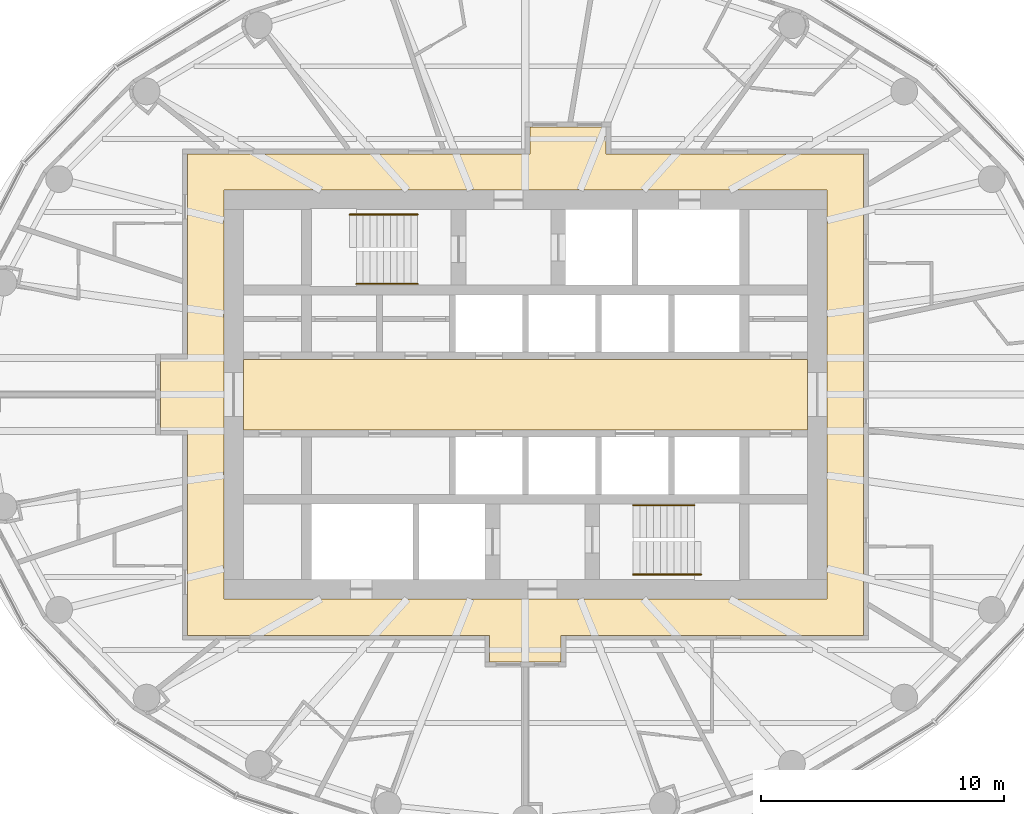
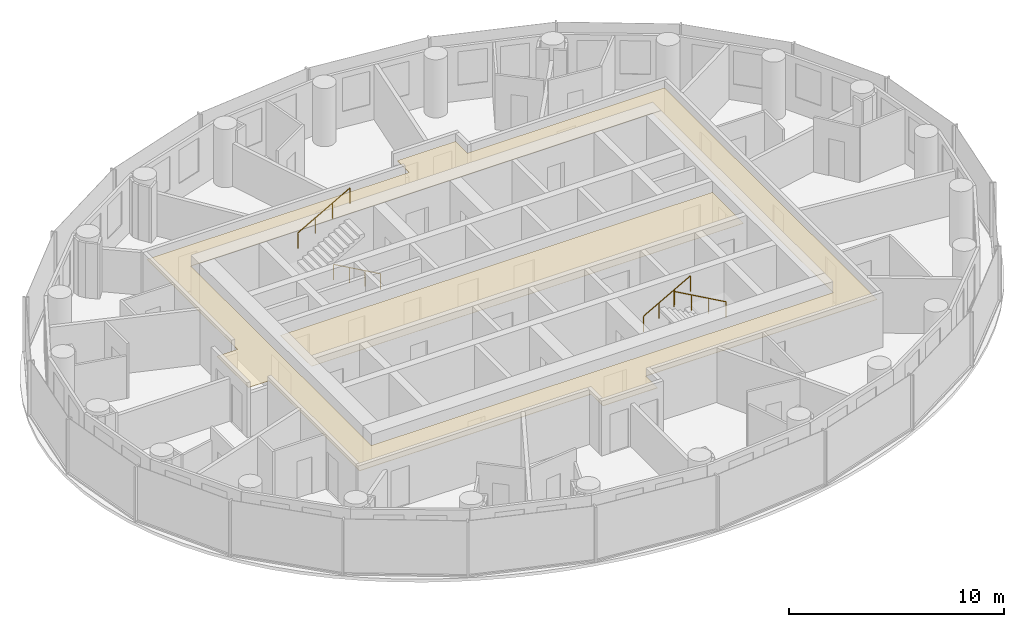
# One storey, part 13 of 13: 4 railings, 2 coverings.
"""IFC4 building model written with IfcOpenShell, lengths in metres."""

from ifc_helpers import new_model, si_unit, direction, frame, origin, origin_2d, place, context, subcontext, project, spatial, polyline, circle, outline, extrude, material, layer, layer_set, type_object, element, save


model = new_model("IFC4")

# Units and contexts
model_context = context("Model", 3, precision=1e-05, world=origin(), true_north=direction((0.0, 1.0)))
body_context = subcontext(model_context, "Body", "Model", "MODEL_VIEW")
ifc_project = project(units=[si_unit("LENGTHUNIT", "METRE"), si_unit("AREAUNIT", "SQUARE_METRE"), si_unit("VOLUMEUNIT", "CUBIC_METRE"), si_unit("PLANEANGLEUNIT", "RADIAN"), si_unit("MASSUNIT", "GRAM", prefix="KILO")], contexts=[model_context])

# Site, building, storey
site_placement = place(None, origin())
site = spatial("IfcSite", under=ifc_project, at=site_placement, CompositionType="ELEMENT")
building_placement = place(site_placement, origin())
building = spatial("IfcBuilding", under=site, at=building_placement, Name="Hankou Lantern Tower", CompositionType="ELEMENT")
storey_placement = place(building_placement, frame((0.0, 0.0, 163.199951171875)))
storey = spatial("IfcBuildingStorey", under=building, at=storey_placement, Name="L43", CompositionType="ELEMENT", Elevation=163.199951171875)

# Coverings
ifc_material_1 = material(Name="Black painted aluminium linear ceiling panels", Category="aluminium")
ifc_layer_1 = layer(ifc_material_1, 0.02490234375)
ifc_layer_set_1 = layer_set([ifc_layer_1], Name="Black painted aluminium linear ceiling panels")
covering_type_1 = type_object("IfcCoveringType", Name="CL1 CORRIDOR CEILING 25", PredefinedType="CEILING", material=ifc_layer_set_1)
covering_1_placement = place(storey_placement, frame((0.0, 0.0, 2.64501953125)))
element("IfcCovering", 1, at=covering_1_placement, inside=storey, type_object=covering_type_1, Name="Corridor ceiling L43", PredefinedType="CEILING", context=body_context, shape_type="SweptSolid", body=[
    extrude(outline(polyline([(1.469970703125, -11.0), (1.469970703125, -9.89990234375), (13.89990234375, -9.89990234375), (13.89990234375, 9.89990234375), (3.318115234375, 9.89990234375), (3.318115234375, 11.0), (0.194091796875, 11.0), (0.194091796875, 9.89990234375), (-13.89990234375, 9.89990234375), (-13.89990234375, 1.469970703125), (-15.0, 1.469970703125), (-15.0, -1.469970703125), (-13.89990234375, -1.469970703125), (-13.89990234375, -9.89990234375), (-1.469970703125, -9.89990234375), (-1.469970703125, -11.0), (1.469970703125, -11.0)]), holes=[polyline([(-12.39990234375, 8.39990234375), (12.39990234375, 8.39990234375), (12.39990234375, -8.39990234375), (-12.39990234375, -8.39990234375), (-12.39990234375, 8.39990234375)])]), origin(), (0.0, 0.0, 1.0), 0.025146484375),
])
ifc_material_2 = material(Name="Perforated black aluminium acoustic tray ceiling", Category="aluminium")
ifc_layer_2 = layer(ifc_material_2, 0.014892578125)
ifc_layer_set_2 = layer_set([ifc_layer_2], Name="Perforated black aluminium acoustic tray ceiling")
covering_type_2 = type_object("IfcCoveringType", Name="CL2 LIFT LOBBY CEILING 15", PredefinedType="CEILING", material=ifc_layer_set_2)
covering_2_placement = place(storey_placement, frame((0.0, 0.0, 2.655029296875)))
element("IfcCovering", 2, at=covering_2_placement, inside=storey, type_object=covering_type_2, Name="Lift lobby ceiling L43", PredefinedType="CEILING", context=body_context, shape_type="SweptSolid", body=[
    extrude(outline(polyline([(-11.60009765625, -1.449951171875), (11.60009765625, -1.449951171875), (11.60009765625, 1.449951171875), (-11.60009765625, 1.449951171875), (-11.60009765625, -1.449951171875)])), origin(), (0.0, 0.0, 1.0), 0.01513671875),
])

# Railings
ifc_material_3 = material(Name="Steel handrail", Category="steel")
railing_type = type_object("IfcRailingType", Name="HR1 STAIR HANDRAIL", PredefinedType="HANDRAIL", material=ifc_material_3)
railing_1_placement = place(storey_placement, frame((-4.429931640625, 4.550048828125, 0.900146484375)))
element("IfcRailing", 3, at=railing_1_placement, inside=storey, type_object=railing_type, Name="Handrail stair STA L43 flight 1", PredefinedType="HANDRAIL", context=body_context, shape_type="SweptSolid", body=[
    extrude(circle(Radius=0.02392578125, at=origin_2d()), frame((0.0, 0.0, 0.8759765625), z_axis=(-0.872048945198, 0.0, 0.489418672692), x_axis=(0.0, -1.0, 0.0)), (0.0, 0.0, 1.0), 2.8896484375),
    extrude(circle(Radius=0.02099609375, at=origin_2d()), origin(), (0.0, 0.0, 1.0), 0.851806640625),
    extrude(circle(Radius=0.02099609375, at=origin_2d()), frame((-0.840087890625, 0.0, 0.471435546875)), (0.0, 0.0, 1.0), 0.851806640625),
    extrude(circle(Radius=0.02099609375, at=origin_2d()), frame((-1.679931640625, 0.0, 0.94287109375)), (0.0, 0.0, 1.0), 0.851806640625),
    extrude(circle(Radius=0.02099609375, at=origin_2d()), frame((-2.52001953125, 0.0, 1.414306640625)), (0.0, 0.0, 1.0), 0.851806640625),
])
railing_2_placement = place(storey_placement, frame((-7.22998046875, 7.39990234375, 2.471435546875)))
element("IfcRailing", 4, at=railing_2_placement, inside=storey, type_object=railing_type, Name="Handrail stair STA L43 flight 2", PredefinedType="HANDRAIL", context=body_context, shape_type="SweptSolid", body=[
    extrude(circle(Radius=0.02392578125, at=origin_2d()), frame((0.0, 0.0, 0.8759765625), z_axis=(0.872040151574, 0.0, 0.489434340891), x_axis=(0.0, 1.0, 0.0)), (0.0, 0.0, 1.0), 3.2109375),
    extrude(circle(Radius=0.02099609375, at=origin_2d()), origin(), (0.0, 0.0, 1.0), 0.851806640625),
    extrude(circle(Radius=0.02099609375, at=origin_2d()), frame((0.933349609375, 0.0, 0.52392578125)), (0.0, 0.0, 1.0), 0.851806640625),
    extrude(circle(Radius=0.02099609375, at=origin_2d()), frame((1.86669921875, 0.0, 1.047607421875)), (0.0, 0.0, 1.0), 0.851806640625),
    extrude(circle(Radius=0.02099609375, at=origin_2d()), frame((2.800048828125, 0.0, 1.571533203125)), (0.0, 0.0, 1.0), 0.851806640625),
])
railing_3_placement = place(storey_placement, frame((4.429931640625, -4.550048828125, 0.900146484375)))
element("IfcRailing", 5, at=railing_3_placement, inside=storey, type_object=railing_type, Name="Handrail stair STB L43 flight 1", PredefinedType="HANDRAIL", context=body_context, shape_type="SweptSolid", body=[
    extrude(circle(Radius=0.02392578125, at=origin_2d()), frame((0.0, 0.0, 0.8759765625), z_axis=(0.872048945198, 0.0, 0.489418672692), x_axis=(0.0, 1.0, 0.0)), (0.0, 0.0, 1.0), 2.8896484375),
    extrude(circle(Radius=0.02099609375, at=origin_2d()), origin(), (0.0, 0.0, 1.0), 0.851806640625),
    extrude(circle(Radius=0.02099609375, at=origin_2d()), frame((0.840087890625, 0.0, 0.471435546875)), (0.0, 0.0, 1.0), 0.851806640625),
    extrude(circle(Radius=0.02099609375, at=origin_2d()), frame((1.679931640625, 0.0, 0.94287109375)), (0.0, 0.0, 1.0), 0.851806640625),
    extrude(circle(Radius=0.02099609375, at=origin_2d()), frame((2.52001953125, 0.0, 1.414306640625)), (0.0, 0.0, 1.0), 0.851806640625),
])
railing_4_placement = place(storey_placement, frame((7.22998046875, -7.39990234375, 2.471435546875)))
element("IfcRailing", 6, at=railing_4_placement, inside=storey, type_object=railing_type, Name="Handrail stair STB L43 flight 2", PredefinedType="HANDRAIL", context=body_context, shape_type="SweptSolid", body=[
    extrude(circle(Radius=0.02392578125, at=origin_2d()), frame((0.0, 0.0, 0.8759765625), z_axis=(-0.872040151574, 0.0, 0.489434340891), x_axis=(0.0, -1.0, 0.0)), (0.0, 0.0, 1.0), 3.2109375),
    extrude(circle(Radius=0.02099609375, at=origin_2d()), origin(), (0.0, 0.0, 1.0), 0.851806640625),
    extrude(circle(Radius=0.02099609375, at=origin_2d()), frame((-0.933349609375, 0.0, 0.52392578125)), (0.0, 0.0, 1.0), 0.851806640625),
    extrude(circle(Radius=0.02099609375, at=origin_2d()), frame((-1.86669921875, 0.0, 1.047607421875)), (0.0, 0.0, 1.0), 0.851806640625),
    extrude(circle(Radius=0.02099609375, at=origin_2d()), frame((-2.800048828125, 0.0, 1.571533203125)), (0.0, 0.0, 1.0), 0.851806640625),
])

save(model, "model.ifc")
